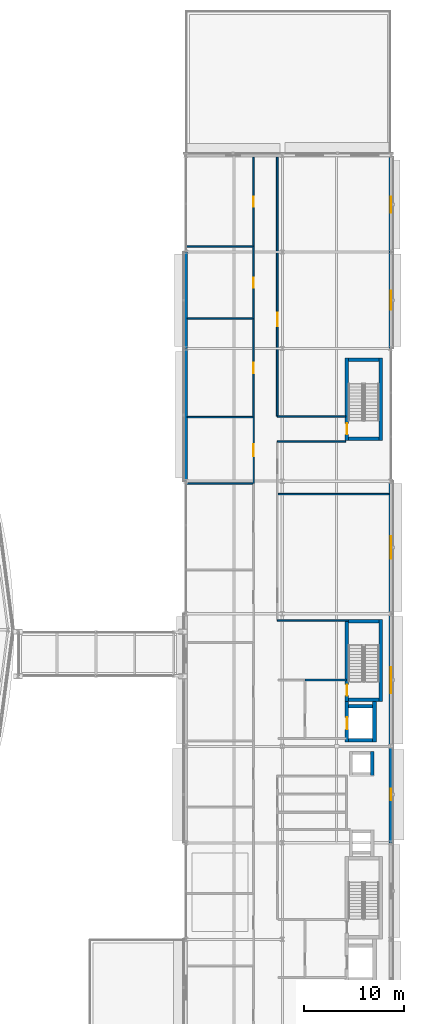
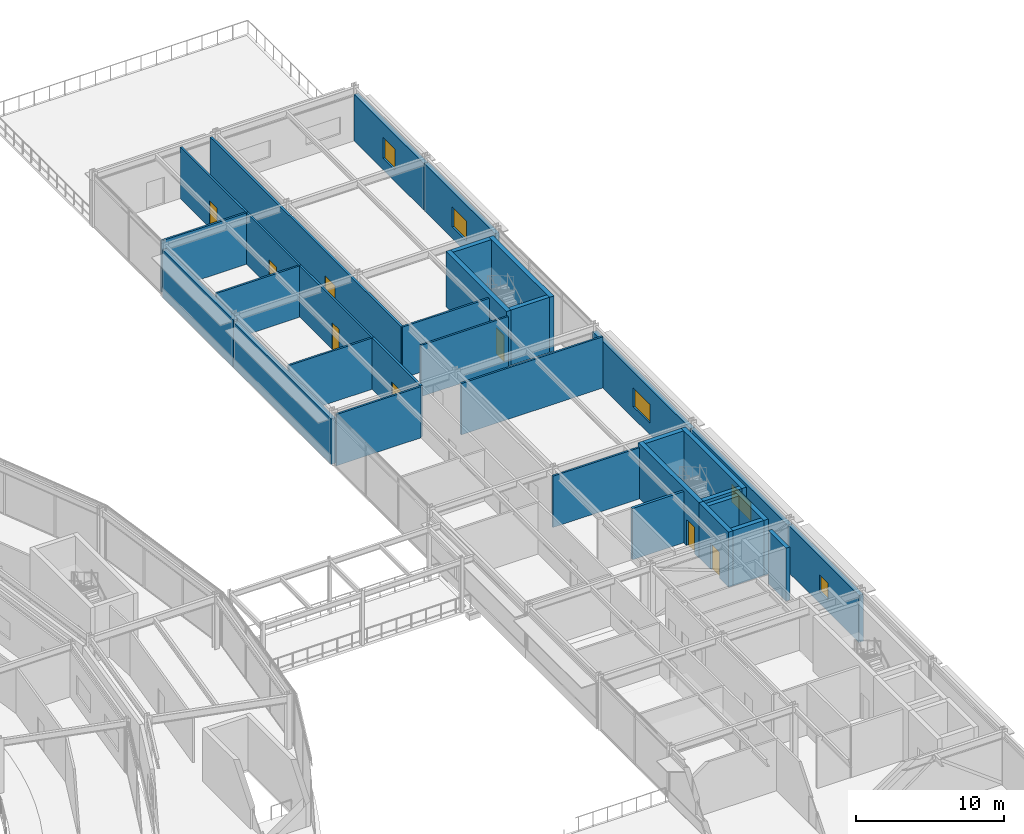
# One storey, part 126 of 157: 34 walls, 8 doors, 5 windows, 13 openings.
"""IFC4 building model written with IfcOpenShell, lengths in metres."""

from ifc_helpers import new_model, si_unit, direction, frame, frame_2d, origin, place, context, subcontext, project, spatial, rectangle, extrude, material, layer, layer_set, type_object, element, fill, save


model = new_model("IFC4")

# Units and contexts
model_context = context("Model", 3, precision=1e-05, world=origin(), true_north=direction((0.0, 1.0)))
body_context = subcontext(model_context, "Body", "Model", "MODEL_VIEW")
ifc_project = project(units=[si_unit("LENGTHUNIT", "METRE"), si_unit("AREAUNIT", "SQUARE_METRE"), si_unit("VOLUMEUNIT", "CUBIC_METRE"), si_unit("PLANEANGLEUNIT", "RADIAN"), si_unit("MASSUNIT", "GRAM", prefix="KILO")], contexts=[model_context])

# Site, building, storey
site_placement = place(None, origin())
site = spatial("IfcSite", under=ifc_project, at=site_placement, CompositionType="ELEMENT")
building_placement = place(site_placement, origin())
building = spatial("IfcBuilding", under=site, at=building_placement, Name="Almandine Court Research Institute", CompositionType="ELEMENT")
storey_placement = place(building_placement, frame((0.0, 0.0, 5.25)))
storey = spatial("IfcBuildingStorey", under=building, at=storey_placement, Name="L01", CompositionType="ELEMENT", Elevation=5.25)

# Walls
ifc_material_1 = material(Name="Andean Red-Buff Sandstone Plinth Wall", Category="masonry")
ifc_layer_1 = layer(ifc_material_1, 0.340087890625)
ifc_layer_set_1 = layer_set([ifc_layer_1], Name="Andean Red-Buff Sandstone Plinth Wall")
wall_type_1 = type_object("IfcWallType", Name="Wall-EXT-SAND-340", PredefinedType="SOLIDWALL", material=ifc_layer_set_1)
wall_1_placement = place(storey_placement, frame((153.60009765625, 70.803955078125, 0.0), z_axis=(0.0, 0.0, 1.0), x_axis=(0.0, 1.0, 0.0)))
element("IfcWall", 1, at=wall_1_placement, inside=storey, type_object=wall_type_1, Name="L01 Wet Lab West Facade Wall 7", PredefinedType="SOLIDWALL", context=body_context, shape_type="SweptSolid", body=[
    extrude(rectangle(XDim=13.192138671875, YDim=0.340087890625, at=frame_2d((6.59619140625, 0.0))), origin(), (0.0, 0.0, 1.0), 3.741943359375),
])
wall_2_placement = place(storey_placement, frame((153.60009765625, 84.00390625, 0.0), z_axis=(0.0, 0.0, 1.0), x_axis=(0.0, 1.0, 0.0)))
element("IfcWall", 2, at=wall_2_placement, inside=storey, type_object=wall_type_1, Name="L01 Wet Lab West Facade Wall 8", PredefinedType="SOLIDWALL", context=body_context, shape_type="SweptSolid", body=[
    extrude(rectangle(XDim=9.592041015625, YDim=0.340087890625, at=frame_2d((4.7958984375, 0.0))), origin(), (0.0, 0.0, 1.0), 3.89306640625),
])

# Wall, opening, window
wall_3_placement = place(storey_placement, frame((174.0, 103.02587890625, 0.0), z_axis=(0.0, 0.0, 1.0), x_axis=(0.0, -1.0, 0.0)))
wall_3 = element("IfcWall", 3, at=wall_3_placement, inside=storey, type_object=wall_type_1, Name="L01 Wet Lab East Facade Wall 9", PredefinedType="SOLIDWALL", context=body_context, shape_type="SweptSolid", body=[
    extrude(rectangle(XDim=9.421875, YDim=0.340087890625, at=frame_2d((4.7109375, 0.0))), origin(), (0.0, 0.0, 1.0), 3.8369140625),
])
opening_1_placement = place(wall_3_placement, frame((3.910888671875, 0.0, 0.949951171875)))
opening_1 = element("IfcOpeningElement", 4, at=opening_1_placement, cuts=wall_3, Name="Opening WN-62", PredefinedType="OPENING", context=body_context, shape_type="SweptSolid", body=[
    extrude(rectangle(XDim=1.60009765625, YDim=1.719970703125, at=frame_2d((0.800048828125, 0.85986328125))), frame((0.0, 0.179931640625, 0.0), z_axis=(0.0, -1.0, 0.0), x_axis=(1.0, 0.0, 0.0)), (0.0, 0.0, 1.0), 0.360107421875),
])
ifc_material_2 = material(Name="Thermally Broken Low-E Double-Glazed Window", Category="glass")
window_type_1 = type_object("IfcWindowType", Name="Win-WN-62-1600x1720", PartitioningType="SINGLE_PANEL", PredefinedType="WINDOW", material=ifc_material_2)
window_1_placement = place(opening_1_placement, origin())
window_1 = element("IfcWindow", 5, at=window_1_placement, inside=storey, type_object=window_type_1, Name="L01 Modular Recessed Low-E Window 90", OverallHeight=1.719970703125, OverallWidth=1.60009765625, PartitioningType="SINGLE_PANEL", PredefinedType="WINDOW", context=body_context, shape_type="SweptSolid", body=[
    extrude(rectangle(XDim=1.60009765625, YDim=1.719970703125, at=frame_2d((0.800048828125, 0.85986328125))), frame((0.0, 0.030029296875, 0.0), z_axis=(0.0, -1.0, 0.0), x_axis=(1.0, 0.0, 0.0)), (0.0, 0.0, 1.0), 0.06005859375),
])
fill(opening_1, window_1)

wall_4_placement = place(storey_placement, frame((174.0, 93.595947265625, 0.0), z_axis=(0.0, 0.0, 1.0), x_axis=(0.0, -1.0, 0.0)))
wall_4 = element("IfcWall", 6, at=wall_4_placement, inside=storey, type_object=wall_type_1, Name="L01 Wet Lab East Facade Wall 8", PredefinedType="SOLIDWALL", context=body_context, shape_type="SweptSolid", body=[
    extrude(rectangle(XDim=9.592041015625, YDim=0.340087890625, at=frame_2d((4.7958984375, 0.0))), origin(), (0.0, 0.0, 1.0), 3.884033203125),
])
opening_2_placement = place(wall_4_placement, frame((3.8310546875, 0.0, 0.949951171875)))
opening_2 = element("IfcOpeningElement", 7, at=opening_2_placement, cuts=wall_4, Name="Opening WN-63", PredefinedType="OPENING", context=body_context, shape_type="SweptSolid", body=[
    extrude(rectangle(XDim=1.929931640625, YDim=1.639892578125, at=frame_2d((0.96484375, 0.81982421875))), frame((0.0, 0.179931640625, 0.0), z_axis=(0.0, -1.0, 0.0), x_axis=(1.0, 0.0, 0.0)), (0.0, 0.0, 1.0), 0.360107421875),
])
window_type_2 = type_object("IfcWindowType", Name="Win-WN-63-1930x1640", PartitioningType="SINGLE_PANEL", PredefinedType="WINDOW", material=ifc_material_2)
window_2_placement = place(opening_2_placement, origin())
window_2 = element("IfcWindow", 8, at=window_2_placement, inside=storey, type_object=window_type_2, Name="L01 Modular Recessed Low-E Window 91", OverallHeight=1.639892578125, OverallWidth=1.929931640625, PartitioningType="SINGLE_PANEL", PredefinedType="WINDOW", context=body_context, shape_type="SweptSolid", body=[
    extrude(rectangle(XDim=1.929931640625, YDim=1.639892578125, at=frame_2d((0.96484375, 0.81982421875))), frame((0.0, 0.030029296875, 0.0), z_axis=(0.0, -1.0, 0.0), x_axis=(1.0, 0.0, 0.0)), (0.0, 0.0, 1.0), 0.06005859375),
])
fill(opening_2, window_2)

wall_5_placement = place(storey_placement, frame((174.0, 70.7958984375, 0.0), z_axis=(0.0, 0.0, 1.0), x_axis=(0.0, -1.0, 0.0)))
wall_5 = element("IfcWall", 9, at=wall_5_placement, inside=storey, type_object=wall_type_1, Name="L01 Wet Lab East Facade Wall 6", PredefinedType="SOLIDWALL", context=body_context, shape_type="SweptSolid", body=[
    extrude(rectangle(XDim=13.19189453125, YDim=0.340087890625, at=frame_2d((6.595947265625, 0.0))), origin(), (0.0, 0.0, 1.0), 3.81494140625),
])
opening_3_placement = place(wall_5_placement, frame((5.466064453125, 0.0, 0.949951171875)))
opening_3 = element("IfcOpeningElement", 10, at=opening_3_placement, cuts=wall_5, Name="Opening WN-64", PredefinedType="OPENING", context=body_context, shape_type="SweptSolid", body=[
    extrude(rectangle(XDim=2.260009765625, YDim=1.56005859375, at=frame_2d((1.1298828125, 0.780029296875))), frame((0.0, 0.179931640625, 0.0), z_axis=(0.0, -1.0, 0.0), x_axis=(1.0, 0.0, 0.0)), (0.0, 0.0, 1.0), 0.360107421875),
])
window_type_3 = type_object("IfcWindowType", Name="Win-WN-64-2260x1560", PartitioningType="SINGLE_PANEL", PredefinedType="WINDOW", material=ifc_material_2)
window_3_placement = place(opening_3_placement, origin())
window_3 = element("IfcWindow", 11, at=window_3_placement, inside=storey, type_object=window_type_3, Name="L01 Modular Recessed Low-E Window 92", OverallHeight=1.56005859375, OverallWidth=2.260009765625, PartitioningType="SINGLE_PANEL", PredefinedType="WINDOW", context=body_context, shape_type="SweptSolid", body=[
    extrude(rectangle(XDim=2.260009765625, YDim=1.56005859375, at=frame_2d((1.1298828125, 0.780029296875))), frame((0.0, 0.030029296875, 0.0), z_axis=(0.0, -1.0, 0.0), x_axis=(1.0, 0.0, 0.0)), (0.0, 0.0, 1.0), 0.06005859375),
])
fill(opening_3, window_3)

wall_6_placement = place(storey_placement, frame((174.0, 57.595947265625, 0.0), z_axis=(0.0, 0.0, 1.0), x_axis=(0.0, -1.0, 0.0)))
wall_6 = element("IfcWall", 12, at=wall_6_placement, inside=storey, type_object=wall_type_1, Name="L01 Wet Lab East Facade Wall 5", PredefinedType="SOLIDWALL", context=body_context, shape_type="SweptSolid", body=[
    extrude(rectangle(XDim=13.19189453125, YDim=0.340087890625, at=frame_2d((6.595947265625, 0.0))), origin(), (0.0, 0.0, 1.0), 3.81494140625),
])
opening_4_placement = place(wall_6_placement, frame((5.301025390625, 0.0, 0.949951171875)))
opening_4 = element("IfcOpeningElement", 13, at=opening_4_placement, cuts=wall_6, Name="Opening WN-65", PredefinedType="OPENING", context=body_context, shape_type="SweptSolid", body=[
    extrude(rectangle(XDim=2.590087890625, YDim=1.47998046875, at=frame_2d((1.294921875, 0.739990234375))), frame((0.0, 0.179931640625, 0.0), z_axis=(0.0, -1.0, 0.0), x_axis=(1.0, 0.0, 0.0)), (0.0, 0.0, 1.0), 0.360107421875),
])
window_type_4 = type_object("IfcWindowType", Name="Win-WN-65-2590x1480", PartitioningType="SINGLE_PANEL", PredefinedType="WINDOW", material=ifc_material_2)
window_4_placement = place(opening_4_placement, origin())
window_4 = element("IfcWindow", 14, at=window_4_placement, inside=storey, type_object=window_type_4, Name="L01 Modular Recessed Low-E Window 93", OverallHeight=1.47998046875, OverallWidth=2.590087890625, PartitioningType="SINGLE_PANEL", PredefinedType="WINDOW", context=body_context, shape_type="SweptSolid", body=[
    extrude(rectangle(XDim=2.590087890625, YDim=1.47998046875, at=frame_2d((1.294921875, 0.739990234375))), frame((0.0, 0.030029296875, 0.0), z_axis=(0.0, -1.0, 0.0), x_axis=(1.0, 0.0, 0.0)), (0.0, 0.0, 1.0), 0.06005859375),
])
fill(opening_4, window_4)

wall_7_placement = place(storey_placement, frame((174.0, 44.39599609375, 0.0), z_axis=(0.0, 0.0, 1.0), x_axis=(0.0, -1.0, 0.0)))
wall_7 = element("IfcWall", 15, at=wall_7_placement, inside=storey, type_object=wall_type_1, Name="L01 Wet Lab East Facade Wall 4", PredefinedType="SOLIDWALL", context=body_context, shape_type="SweptSolid", body=[
    extrude(rectangle(XDim=9.592041015625, YDim=0.340087890625, at=frame_2d((4.7958984375, 0.0))), origin(), (0.0, 0.0, 1.0), 3.884033203125),
])
opening_5_placement = place(wall_7_placement, frame((4.216064453125, 0.0, 0.949951171875)))
opening_5 = element("IfcOpeningElement", 16, at=opening_5_placement, cuts=wall_7, Name="Opening WN-66", PredefinedType="OPENING", context=body_context, shape_type="SweptSolid", body=[
    extrude(rectangle(XDim=1.159912109375, YDim=1.39990234375, at=frame_2d((0.580078125, 0.699951171875))), frame((0.0, 0.179931640625, 0.0), z_axis=(0.0, -1.0, 0.0), x_axis=(1.0, 0.0, 0.0)), (0.0, 0.0, 1.0), 0.360107421875),
])
window_type_5 = type_object("IfcWindowType", Name="Win-WN-66-1160x1400", PartitioningType="SINGLE_PANEL", PredefinedType="WINDOW", material=ifc_material_2)
window_5_placement = place(opening_5_placement, origin())
window_5 = element("IfcWindow", 17, at=window_5_placement, inside=storey, type_object=window_type_5, Name="L01 Modular Recessed Low-E Window 94", OverallHeight=1.39990234375, OverallWidth=1.159912109375, PartitioningType="SINGLE_PANEL", PredefinedType="WINDOW", context=body_context, shape_type="SweptSolid", body=[
    extrude(rectangle(XDim=1.159912109375, YDim=1.39990234375, at=frame_2d((0.580078125, 0.699951171875))), frame((0.0, 0.030029296875, 0.0), z_axis=(0.0, -1.0, 0.0), x_axis=(1.0, 0.0, 0.0)), (0.0, 0.0, 1.0), 0.06005859375),
])
fill(opening_5, window_5)

# Wall, opening, door
ifc_material_3 = material(Name="One-Hour Fire-Rated Laboratory Partition")
ifc_layer_2 = layer(ifc_material_3, 0.175048828125)
ifc_layer_set_2 = layer_set([ifc_layer_2], Name="One-Hour Fire-Rated Laboratory Partition")
wall_type_2 = type_object("IfcWallType", Name="Wall-FIRE-175", PredefinedType="PARTITIONING", material=ifc_layer_set_2)
wall_8_placement = place(storey_placement, frame((160.35009765625, 70.56005859375, 0.0), z_axis=(0.0, 0.0, 1.0), x_axis=(0.0, 1.0, 0.0)))
wall_8 = element("IfcWall", 18, at=wall_8_placement, inside=storey, type_object=wall_type_2, Name="L01 Interior Partition W-V4-L01-WW-8", PredefinedType="PARTITIONING", context=body_context, shape_type="SweptSolid", body=[
    extrude(rectangle(XDim=6.599853515625, YDim=0.175048828125, at=frame_2d((3.2998046875, 0.0))), origin(), (0.0, 0.0, 1.0), 4.22998046875),
])
opening_6_placement = place(wall_8_placement, frame((2.699951171875, 0.0, 0.0)))
opening_6 = element("IfcOpeningElement", 19, at=opening_6_placement, cuts=wall_8, Name="Opening FD-LAB", PredefinedType="OPENING", context=body_context, shape_type="SweptSolid", body=[
    extrude(rectangle(XDim=1.199951171875, YDim=2.199951171875, at=frame_2d((0.60009765625, 1.10009765625))), frame((0.0, 0.097412109375, 0.0), z_axis=(0.0, -1.0, 0.0), x_axis=(1.0, 0.0, 0.0)), (0.0, 0.0, 1.0), 0.195068359375),
])
ifc_material_4 = material(Name="Fire-Rated Laboratory Containment Door")
door_type_1 = type_object("IfcDoorType", Name="Door-FD-LAB-1200", OperationType="NOTDEFINED", PredefinedType="DOOR", material=ifc_material_4)
door_1_placement = place(opening_6_placement, origin())
door_1 = element("IfcDoor", 20, at=door_1_placement, inside=storey, type_object=door_type_1, Name="L01 Biosciences BSL-2 Laboratory Door", OperationType="SINGLE_SWING_RIGHT", OverallHeight=2.199951171875, OverallWidth=1.199951171875, PredefinedType="DOOR", context=body_context, shape_type="SweptSolid", body=[
    extrude(rectangle(XDim=1.199951171875, YDim=2.199951171875, at=frame_2d((0.60009765625, 1.10009765625))), frame((0.0, 0.02490234375, 0.0), z_axis=(0.0, -1.0, 0.0), x_axis=(1.0, 0.0, 0.0)), (0.0, 0.0, 1.0), 0.050048828125),
])
fill(opening_6, door_1)

wall_9_placement = place(storey_placement, frame((162.699951171875, 77.25, 0.0), z_axis=(0.0, 0.0, 1.0), x_axis=(0.0, 1.0, 0.0)))
wall_9 = element("IfcWall", 21, at=wall_9_placement, inside=storey, type_object=wall_type_2, Name="L01 Interior Partition W-V4-L01-EW-N2", PredefinedType="PARTITIONING", context=body_context, shape_type="SweptSolid", body=[
    extrude(rectangle(XDim=25.7900390625, YDim=0.175048828125, at=frame_2d((12.89501953125, 0.0))), origin(), (0.0, 0.0, 1.0), 4.22998046875),
])
opening_7_placement = place(wall_9_placement, frame((8.949951171875, 0.0, 0.0)))
opening_7 = element("IfcOpeningElement", 22, at=opening_7_placement, cuts=wall_9, Name="Opening FD-LB2", PredefinedType="OPENING", context=body_context, shape_type="SweptSolid", body=[
    extrude(rectangle(XDim=1.35009765625, YDim=2.199951171875, at=frame_2d((0.675048828125, 1.10009765625))), frame((0.0, 0.097412109375, 0.0), z_axis=(0.0, -1.0, 0.0), x_axis=(1.0, 0.0, 0.0)), (0.0, 0.0, 1.0), 0.195068359375),
])
ifc_material_5 = material(Name="Wide Fire-Rated Cleanroom and Lab Door")
door_type_2 = type_object("IfcDoorType", Name="Door-FD-LAB-1350", OperationType="NOTDEFINED", PredefinedType="DOOR", material=ifc_material_5)
door_2_placement = place(opening_7_placement, origin())
door_2 = element("IfcDoor", 23, at=door_2_placement, inside=storey, type_object=door_type_2, Name="L01 East BSL-2 Lab Door", OperationType="SINGLE_SWING_RIGHT", OverallHeight=2.199951171875, OverallWidth=1.35009765625, PredefinedType="DOOR", context=body_context, shape_type="SweptSolid", body=[
    extrude(rectangle(XDim=1.35009765625, YDim=2.199951171875, at=frame_2d((0.675048828125, 1.10009765625))), frame((0.0, 0.02490234375, 0.0), z_axis=(0.0, -1.0, 0.0), x_axis=(1.0, 0.0, 0.0)), (0.0, 0.0, 1.0), 0.050048828125),
])
fill(opening_7, door_2)

# Walls
ifc_material_6 = material(Name="Two-Hour Fire-Barrier Enclosure Wall")
ifc_layer_3 = layer(ifc_material_6, 0.199951171875)
ifc_layer_set_3 = layer_set([ifc_layer_3], Name="Two-Hour Fire-Barrier Enclosure Wall")
wall_type_3 = type_object("IfcWallType", Name="Wall-FIRE-200", PredefinedType="SOLIDWALL", material=ifc_layer_set_3)
wall_10_placement = place(storey_placement, frame((165.449951171875, 51.0, 0.0), z_axis=(0.0, 0.0, 1.0), x_axis=(1.0, 0.0, 0.0)))
element("IfcWall", 24, at=wall_10_placement, inside=storey, type_object=wall_type_3, Name="L01 Interior Partition W-FFL2-L01-N", PredefinedType="SOLIDWALL", context=body_context, shape_type="SweptSolid", body=[
    extrude(rectangle(XDim=4.150146484375, YDim=0.199951171875, at=frame_2d((2.0751953125, 0.0))), origin(), (0.0, 0.0, 1.0), 4.22998046875),
])
ifc_material_7 = material(Name="Acoustic Steel-Stud Gypsum Partition Wall", Category="steel")
ifc_layer_4 = layer(ifc_material_7, 0.14990234375)
ifc_layer_set_4 = layer_set([ifc_layer_4], Name="Acoustic Steel-Stud Gypsum Partition Wall")
wall_type_4 = type_object("IfcWallType", Name="Wall-PART-150", PredefinedType="PARTITIONING", material=ifc_layer_set_4)
wall_11_placement = place(storey_placement, frame((153.659912109375, 70.56005859375, 0.0), z_axis=(0.0, 0.0, 1.0), x_axis=(1.0, 0.0, 0.0)))
element("IfcWall", 25, at=wall_11_placement, inside=storey, type_object=wall_type_4, Name="L01 Interior Partition W-V4-L01-WDIV-7", PredefinedType="PARTITIONING", context=body_context, shape_type="SweptSolid", body=[
    extrude(rectangle(XDim=6.610107421875, YDim=0.14990234375, at=frame_2d((3.30517578125, 0.0))), origin(), (0.0, 0.0, 1.0), 4.22998046875),
])
wall_12_placement = place(storey_placement, frame((153.760009765625, 77.159912109375, 0.0), z_axis=(0.0, 0.0, 1.0), x_axis=(1.0, 0.0, 0.0)))
element("IfcWall", 26, at=wall_12_placement, inside=storey, type_object=wall_type_4, Name="L01 Interior Partition W-V4-L01-WDIV-8", PredefinedType="PARTITIONING", context=body_context, shape_type="SweptSolid", body=[
    extrude(rectangle(XDim=6.510009765625, YDim=0.14990234375, at=frame_2d((3.2548828125, 0.0))), origin(), (0.0, 0.0, 1.0), 4.22998046875),
])

# Wall, opening, door
wall_13_placement = place(storey_placement, frame((160.35009765625, 77.159912109375, 0.0), z_axis=(0.0, 0.0, 1.0), x_axis=(0.0, 1.0, 0.0)))
wall_13 = element("IfcWall", 27, at=wall_13_placement, inside=storey, type_object=wall_type_4, Name="L01 Interior Partition W-V4-L01-WW-9", PredefinedType="PARTITIONING", context=body_context, shape_type="SweptSolid", body=[
    extrude(rectangle(XDim=9.800048828125, YDim=0.14990234375, at=frame_2d((4.89990234375, 0.0))), origin(), (0.0, 0.0, 1.0), 4.22998046875),
])
opening_8_placement = place(wall_13_placement, frame((4.39990234375, 0.0, 0.0)))
opening_8 = element("IfcOpeningElement", 28, at=opening_8_placement, cuts=wall_13, Name="Opening D-02", PredefinedType="OPENING", context=body_context, shape_type="SweptSolid", body=[
    extrude(rectangle(XDim=1.0, YDim=2.199951171875, at=frame_2d((0.5, 1.10009765625))), frame((0.0, 0.0849609375, 0.0), z_axis=(0.0, -1.0, 0.0), x_axis=(1.0, 0.0, 0.0)), (0.0, 0.0, 1.0), 0.169921875),
])
ifc_material_8 = material(Name="Solid-Core Timber Researcher Office Door", Category="wood")
door_type_3 = type_object("IfcDoorType", Name="Door-INT-1000", OperationType="NOTDEFINED", PredefinedType="DOOR", material=ifc_material_8)
door_3_placement = place(opening_8_placement, origin())
door_3 = element("IfcDoor", 29, at=door_3_placement, inside=storey, type_object=door_type_3, Name="L01 Seminar Room Door", OperationType="SINGLE_SWING_LEFT", OverallHeight=2.199951171875, OverallWidth=1.0, PredefinedType="DOOR", context=body_context, shape_type="SweptSolid", body=[
    extrude(rectangle(XDim=1.0, YDim=2.199951171875, at=frame_2d((0.5, 1.10009765625))), frame((0.0, 0.02490234375, 0.0), z_axis=(0.0, -1.0, 0.0), x_axis=(1.0, 0.0, 0.0)), (0.0, 0.0, 1.0), 0.050048828125),
])
fill(opening_8, door_3)

# Wall
wall_14_placement = place(storey_placement, frame((153.760009765625, 86.9599609375, 0.0), z_axis=(0.0, 0.0, 1.0), x_axis=(1.0, 0.0, 0.0)))
element("IfcWall", 30, at=wall_14_placement, inside=storey, type_object=wall_type_4, Name="L01 Interior Partition W-V4-L01-WDIV-9", PredefinedType="PARTITIONING", context=body_context, shape_type="SweptSolid", body=[
    extrude(rectangle(XDim=6.510009765625, YDim=0.14990234375, at=frame_2d((3.2548828125, 0.0))), origin(), (0.0, 0.0, 1.0), 4.22998046875),
])

# Wall, opening, door
wall_15_placement = place(storey_placement, frame((160.35009765625, 86.9599609375, 0.0), z_axis=(0.0, 0.0, 1.0), x_axis=(0.0, 1.0, 0.0)))
wall_15 = element("IfcWall", 31, at=wall_15_placement, inside=storey, type_object=wall_type_4, Name="L01 Interior Partition W-V4-L01-WW-10", PredefinedType="PARTITIONING", context=body_context, shape_type="SweptSolid", body=[
    extrude(rectangle(XDim=7.199951171875, YDim=0.14990234375, at=frame_2d((3.60009765625, 0.0))), origin(), (0.0, 0.0, 1.0), 4.22998046875),
])
opening_9_placement = place(wall_15_placement, frame((3.10009765625, 0.0, 0.0)))
opening_9 = element("IfcOpeningElement", 32, at=opening_9_placement, cuts=wall_15, Name="Opening D-02", PredefinedType="OPENING", context=body_context, shape_type="SweptSolid", body=[
    extrude(rectangle(XDim=1.0, YDim=2.199951171875, at=frame_2d((0.5, 1.10009765625))), frame((0.0, 0.0849609375, 0.0), z_axis=(0.0, -1.0, 0.0), x_axis=(1.0, 0.0, 0.0)), (0.0, 0.0, 1.0), 0.169921875),
])
door_4_placement = place(opening_9_placement, origin())
door_4 = element("IfcDoor", 33, at=door_4_placement, inside=storey, type_object=door_type_3, Name="L01 Instrument Room Door", OperationType="SINGLE_SWING_RIGHT", OverallHeight=2.199951171875, OverallWidth=1.0, PredefinedType="DOOR", context=body_context, shape_type="SweptSolid", body=[
    extrude(rectangle(XDim=1.0, YDim=2.199951171875, at=frame_2d((0.5, 1.10009765625))), frame((0.0, 0.02490234375, 0.0), z_axis=(0.0, -1.0, 0.0), x_axis=(1.0, 0.0, 0.0)), (0.0, 0.0, 1.0), 0.050048828125),
])
fill(opening_9, door_4)

# Wall
wall_16_placement = place(storey_placement, frame((153.659912109375, 94.159912109375, 0.0), z_axis=(0.0, 0.0, 1.0), x_axis=(1.0, 0.0, 0.0)))
element("IfcWall", 34, at=wall_16_placement, inside=storey, type_object=wall_type_4, Name="L01 Interior Partition W-V4-L01-WDIV-10", PredefinedType="PARTITIONING", context=body_context, shape_type="SweptSolid", body=[
    extrude(rectangle(XDim=6.610107421875, YDim=0.14990234375, at=frame_2d((3.30517578125, 0.0))), origin(), (0.0, 0.0, 1.0), 4.22998046875),
])

# Wall, opening, door
wall_17_placement = place(storey_placement, frame((160.35009765625, 94.159912109375, 0.0), z_axis=(0.0, 0.0, 1.0), x_axis=(0.0, 1.0, 0.0)))
wall_17 = element("IfcWall", 35, at=wall_17_placement, inside=storey, type_object=wall_type_4, Name="L01 Interior Partition W-V4-L01-WW-11", PredefinedType="PARTITIONING", context=body_context, shape_type="SweptSolid", body=[
    extrude(rectangle(XDim=8.880126953125, YDim=0.14990234375, at=frame_2d((4.43994140625, 0.0))), origin(), (0.0, 0.0, 1.0), 4.22998046875),
])
opening_10_placement = place(wall_17_placement, frame((3.93994140625, 0.0, 0.0)))
opening_10 = element("IfcOpeningElement", 36, at=opening_10_placement, cuts=wall_17, Name="Opening D-02", PredefinedType="OPENING", context=body_context, shape_type="SweptSolid", body=[
    extrude(rectangle(XDim=1.0, YDim=2.199951171875, at=frame_2d((0.5, 1.10009765625))), frame((0.0, 0.0849609375, 0.0), z_axis=(0.0, -1.0, 0.0), x_axis=(1.0, 0.0, 0.0)), (0.0, 0.0, 1.0), 0.169921875),
])
door_5_placement = place(opening_10_placement, origin())
door_5 = element("IfcDoor", 37, at=door_5_placement, inside=storey, type_object=door_type_3, Name="L01 Write-up Office Door", OperationType="SINGLE_SWING_LEFT", OverallHeight=2.199951171875, OverallWidth=1.0, PredefinedType="DOOR", context=body_context, shape_type="SweptSolid", body=[
    extrude(rectangle(XDim=1.0, YDim=2.199951171875, at=frame_2d((0.5, 1.10009765625))), frame((0.0, 0.02490234375, 0.0), z_axis=(0.0, -1.0, 0.0), x_axis=(1.0, 0.0, 0.0)), (0.0, 0.0, 1.0), 0.050048828125),
])
fill(opening_10, door_5)

# Walls
wall_18_placement = place(storey_placement, frame((162.699951171875, 56.949951171875, 0.0), z_axis=(0.0, 0.0, 1.0), x_axis=(1.0, 0.0, 0.0)))
element("IfcWall", 38, at=wall_18_placement, inside=storey, type_object=wall_type_4, Name="L01 Interior Partition W-V4-L01-ES-N1", PredefinedType="PARTITIONING", context=body_context, shape_type="SweptSolid", body=[
    extrude(rectangle(XDim=7.10009765625, YDim=0.14990234375, at=frame_2d((3.550048828125, 0.0))), origin(), (0.0, 0.0, 1.0), 4.22998046875),
])
for number, where, z_axis, x_axis, name in (
    (39, (162.699951171875, 74.75, 0.0), (0.0, 0.0, 1.0), (1.0, 0.0, 0.0), "L01 Interior Partition W-V4-L01-ST13S"),
    (40, (162.699951171875, 77.25, 0.0), (0.0, 0.0, 1.0), (1.0, 0.0, 0.0), "L01 Interior Partition W-V4-L01-ST13N"),
):
    element("IfcWall", number, at=place(storey_placement, frame(where, z_axis=z_axis, x_axis=x_axis)), inside=storey, type_object=wall_type_4, Name=name, PredefinedType="PARTITIONING", context=body_context, shape_type="SweptSolid", body=[
        extrude(rectangle(XDim=6.800048828125, YDim=0.14990234375, at=frame_2d((3.39990234375, 0.0))), origin(), (0.0, 0.0, 1.0), 4.22998046875),
    ])
wall_19_placement = place(storey_placement, frame((162.7900390625, 69.5, 0.0), z_axis=(0.0, 0.0, 1.0), x_axis=(1.0, 0.0, 0.0)))
element("IfcWall", 41, at=wall_19_placement, inside=storey, type_object=wall_type_4, Name="L01 Interior Partition W-V4-L01-EDIV-N", PredefinedType="PARTITIONING", context=body_context, shape_type="SweptSolid", body=[
    extrude(rectangle(XDim=11.050048828125, YDim=0.14990234375, at=frame_2d((5.52490234375, 0.0))), origin(), (0.0, 0.0, 1.0), 4.22998046875),
])
ifc_material_9 = material(Name="Concrete C40/50", Category="concrete")
ifc_layer_5 = layer(ifc_material_9, 0.300048828125)
ifc_layer_set_5 = layer_set([ifc_layer_5], Name="Concrete C40/50")
wall_type_5 = type_object("IfcWallType", Name="Wall-SW-CORE-300", PredefinedType="SHEAR", material=ifc_layer_set_5)
wall_20_placement = place(storey_placement, frame((172.14990234375, 43.89990234375, 0.0), z_axis=(0.0, 0.0, 1.0), x_axis=(0.0, -1.0, 0.0)))
element("IfcWall", 42, at=wall_20_placement, inside=storey, type_object=wall_type_5, Name="L01 MEP Riser RS-V4B E Shear Wall", PredefinedType="SHEAR", context=body_context, shape_type="SweptSolid", body=[
    extrude(rectangle(XDim=2.39990234375, YDim=0.300048828125, at=frame_2d((1.199951171875, 0.0))), origin(), (0.0, 0.0, 1.0), 4.3701171875),
])

# Wall, opening, door
ifc_layer_6 = layer(ifc_material_9, 0.35009765625)
ifc_layer_set_6 = layer_set([ifc_layer_6], Name="Concrete C40/50")
wall_type_6 = type_object("IfcWallType", Name="Wall-SW-CORE-350", PredefinedType="SHEAR", material=ifc_layer_set_6)
wall_21_placement = place(storey_placement, frame((169.625, 48.85009765625, 0.0), z_axis=(0.0, 0.0, 1.0), x_axis=(0.0, 1.0, 0.0)))
wall_21 = element("IfcWall", 43, at=wall_21_placement, inside=storey, type_object=wall_type_6, Name="L01 ST-08 W Shear Wall", PredefinedType="SHEAR", context=body_context, shape_type="SweptSolid", body=[
    extrude(rectangle(XDim=8.199951171875, YDim=0.35009765625, at=frame_2d((4.10009765625, 0.0))), origin(), (0.0, 0.0, 1.0), 4.550048828125),
])
opening_11_placement = place(wall_21_placement, frame((0.60009765625, 0.0, 0.0)))
opening_11 = element("IfcOpeningElement", 44, at=opening_11_placement, cuts=wall_21, Name="Opening FD-STAIR", PredefinedType="OPENING", context=body_context, shape_type="SweptSolid", body=[
    extrude(rectangle(XDim=1.10009765625, YDim=2.14990234375, at=frame_2d((0.550048828125, 1.074951171875))), frame((0.0, 0.18505859375, 0.0), z_axis=(0.0, -1.0, 0.0), x_axis=(1.0, 0.0, 0.0)), (0.0, 0.0, 1.0), 0.3701171875),
])
ifc_material_10 = material(Name="Self-Closing Steel Exit Stair Fire Door", Category="steel")
door_type_4 = type_object("IfcDoorType", Name="Door-FD-STAIR-1100", OperationType="NOTDEFINED", PredefinedType="DOOR", material=ifc_material_10)
door_6_placement = place(opening_11_placement, origin())
door_6 = element("IfcDoor", 45, at=door_6_placement, inside=storey, type_object=door_type_4, Name="L01 Exit Stair ST-08 Fire Door", OperationType="SINGLE_SWING_RIGHT", OverallHeight=2.14990234375, OverallWidth=1.10009765625, PredefinedType="DOOR", context=body_context, shape_type="SweptSolid", body=[
    extrude(rectangle(XDim=1.10009765625, YDim=2.14990234375, at=frame_2d((0.550048828125, 1.074951171875))), frame((0.0, 0.02490234375, 0.0), z_axis=(0.0, -1.0, 0.0), x_axis=(1.0, 0.0, 0.0)), (0.0, 0.0, 1.0), 0.050048828125),
])
fill(opening_11, door_6)

# Walls
wall_22_placement = place(storey_placement, frame((169.800048828125, 56.875, 0.0), z_axis=(0.0, 0.0, 1.0), x_axis=(1.0, 0.0, 0.0)))
element("IfcWall", 46, at=wall_22_placement, inside=storey, type_object=wall_type_6, Name="L01 ST-08 N Shear Wall", PredefinedType="SHEAR", context=body_context, shape_type="SweptSolid", body=[
    extrude(rectangle(XDim=3.0, YDim=0.35009765625, at=frame_2d((1.5, 0.0))), origin(), (0.0, 0.0, 1.0), 4.550048828125),
])
wall_23_placement = place(storey_placement, frame((172.97509765625, 57.050048828125, 0.0), z_axis=(0.0, 0.0, 1.0), x_axis=(0.0, -1.0, 0.0)))
element("IfcWall", 47, at=wall_23_placement, inside=storey, type_object=wall_type_6, Name="L01 ST-08 E Shear Wall", PredefinedType="SHEAR", context=body_context, shape_type="SweptSolid", body=[
    extrude(rectangle(XDim=8.199951171875, YDim=0.35009765625, at=frame_2d((4.10009765625, 0.0))), origin(), (0.0, 0.0, 1.0), 4.550048828125),
])
wall_24_placement = place(storey_placement, frame((172.800048828125, 49.02490234375, 0.0), z_axis=(0.0, 0.0, 1.0), x_axis=(-1.0, 0.0, 0.0)))
element("IfcWall", 48, at=wall_24_placement, inside=storey, type_object=wall_type_6, Name="L01 ST-08 S Shear Wall", PredefinedType="SHEAR", context=body_context, shape_type="SweptSolid", body=[
    extrude(rectangle(XDim=3.0, YDim=0.35009765625, at=frame_2d((1.5, 0.0))), origin(), (0.0, 0.0, 1.0), 4.550048828125),
])

# Wall, opening, door
wall_25_placement = place(storey_placement, frame((169.625, 74.85009765625, 0.0), z_axis=(0.0, 0.0, 1.0), x_axis=(0.0, 1.0, 0.0)))
wall_25 = element("IfcWall", 49, at=wall_25_placement, inside=storey, type_object=wall_type_6, Name="L01 ST-13 W Shear Wall", PredefinedType="SHEAR", context=body_context, shape_type="SweptSolid", body=[
    extrude(rectangle(XDim=8.199951171875, YDim=0.35009765625, at=frame_2d((4.10009765625, 0.0))), origin(), (0.0, 0.0, 1.0), 4.550048828125),
])
opening_12_placement = place(wall_25_placement, frame((0.60009765625, 0.0, 0.0)))
opening_12 = element("IfcOpeningElement", 50, at=opening_12_placement, cuts=wall_25, Name="Opening FD-STAIR", PredefinedType="OPENING", context=body_context, shape_type="SweptSolid", body=[
    extrude(rectangle(XDim=1.10009765625, YDim=2.14990234375, at=frame_2d((0.550048828125, 1.074951171875))), frame((0.0, 0.18505859375, 0.0), z_axis=(0.0, -1.0, 0.0), x_axis=(1.0, 0.0, 0.0)), (0.0, 0.0, 1.0), 0.3701171875),
])
door_7_placement = place(opening_12_placement, origin())
door_7 = element("IfcDoor", 51, at=door_7_placement, inside=storey, type_object=door_type_4, Name="L01 Exit Stair ST-13 Fire Door", OperationType="SINGLE_SWING_LEFT", OverallHeight=2.14990234375, OverallWidth=1.10009765625, PredefinedType="DOOR", context=body_context, shape_type="SweptSolid", body=[
    extrude(rectangle(XDim=1.10009765625, YDim=2.14990234375, at=frame_2d((0.550048828125, 1.074951171875))), frame((0.0, 0.02490234375, 0.0), z_axis=(0.0, -1.0, 0.0), x_axis=(1.0, 0.0, 0.0)), (0.0, 0.0, 1.0), 0.050048828125),
])
fill(opening_12, door_7)

# Walls
wall_26_placement = place(storey_placement, frame((169.800048828125, 82.875, 0.0), z_axis=(0.0, 0.0, 1.0), x_axis=(1.0, 0.0, 0.0)))
element("IfcWall", 52, at=wall_26_placement, inside=storey, type_object=wall_type_6, Name="L01 ST-13 N Shear Wall", PredefinedType="SHEAR", context=body_context, shape_type="SweptSolid", body=[
    extrude(rectangle(XDim=3.0, YDim=0.35009765625, at=frame_2d((1.5, 0.0))), origin(), (0.0, 0.0, 1.0), 4.550048828125),
])
wall_27_placement = place(storey_placement, frame((172.97509765625, 83.050048828125, 0.0), z_axis=(0.0, 0.0, 1.0), x_axis=(0.0, -1.0, 0.0)))
element("IfcWall", 53, at=wall_27_placement, inside=storey, type_object=wall_type_6, Name="L01 ST-13 E Shear Wall", PredefinedType="SHEAR", context=body_context, shape_type="SweptSolid", body=[
    extrude(rectangle(XDim=8.199951171875, YDim=0.35009765625, at=frame_2d((4.10009765625, 0.0))), origin(), (0.0, 0.0, 1.0), 4.550048828125),
])
wall_28_placement = place(storey_placement, frame((172.800048828125, 75.02490234375, 0.0), z_axis=(0.0, 0.0, 1.0), x_axis=(-1.0, 0.0, 0.0)))
element("IfcWall", 54, at=wall_28_placement, inside=storey, type_object=wall_type_6, Name="L01 ST-13 S Shear Wall", PredefinedType="SHEAR", context=body_context, shape_type="SweptSolid", body=[
    extrude(rectangle(XDim=3.0, YDim=0.35009765625, at=frame_2d((1.5, 0.0))), origin(), (0.0, 0.0, 1.0), 4.550048828125),
])

# Wall, opening, door
wall_29_placement = place(storey_placement, frame((169.625, 44.85009765625, 0.0), z_axis=(0.0, 0.0, 1.0), x_axis=(0.0, 1.0, 0.0)))
wall_29 = element("IfcWall", 55, at=wall_29_placement, inside=storey, type_object=wall_type_6, Name="L01 FL-02 Hoistway W Shear Wall", PredefinedType="SHEAR", context=body_context, shape_type="SweptSolid", body=[
    extrude(rectangle(XDim=4.0, YDim=0.35009765625, at=frame_2d((2.0, 0.0))), origin(), (0.0, 0.0, 1.0), 4.550048828125),
])
opening_13_placement = place(wall_29_placement, frame((1.25, 0.0, 0.0)))
opening_13 = element("IfcOpeningElement", 56, at=opening_13_placement, cuts=wall_29, Name="Opening LD-02", PredefinedType="OPENING", context=body_context, shape_type="SweptSolid", body=[
    extrude(rectangle(XDim=1.199951171875, YDim=2.14990234375, at=frame_2d((0.60009765625, 1.074951171875))), frame((0.0, 0.18505859375, 0.0), z_axis=(0.0, -1.0, 0.0), x_axis=(1.0, 0.0, 0.0)), (0.0, 0.0, 1.0), 0.3701171875),
])
ifc_material_11 = material(Name="Firefighting Lift Landing Sliding Door")
door_type_5 = type_object("IfcDoorType", Name="Door-LD-FSAE-1200", OperationType="SLIDING_TO_LEFT", PredefinedType="USERDEFINED", material=ifc_material_11)
door_8_placement = place(opening_13_placement, origin())
door_8 = element("IfcDoor", 57, at=door_8_placement, inside=storey, type_object=door_type_5, Name="L01 Firefighting Lift FL-02 Sliding Landing Door", ObjectType="LANDING DOOR", OperationType="SLIDING_TO_LEFT", OverallHeight=2.14990234375, OverallWidth=1.199951171875, PredefinedType="USERDEFINED", context=body_context, shape_type="SweptSolid", body=[
    extrude(rectangle(XDim=1.199951171875, YDim=2.14990234375, at=frame_2d((0.60009765625, 1.074951171875))), frame((0.0, 0.02490234375, 0.0), z_axis=(0.0, -1.0, 0.0), x_axis=(1.0, 0.0, 0.0)), (0.0, 0.0, 1.0), 0.050048828125),
])
fill(opening_13, door_8)

# Walls
wall_30_placement = place(storey_placement, frame((169.800048828125, 48.375, 0.0), z_axis=(0.0, 0.0, 1.0), x_axis=(1.0, 0.0, 0.0)))
element("IfcWall", 58, at=wall_30_placement, inside=storey, type_object=wall_type_6, Name="L01 FL-02 Hoistway N Shear Wall", PredefinedType="SHEAR", context=body_context, shape_type="SweptSolid", body=[
    extrude(rectangle(XDim=2.39990234375, YDim=0.35009765625, at=frame_2d((1.199951171875, 0.0))), origin(), (0.0, 0.0, 1.0), 4.550048828125),
])
wall_31_placement = place(storey_placement, frame((172.375, 48.85009765625, 0.0), z_axis=(0.0, 0.0, 1.0), x_axis=(0.0, -1.0, 0.0)))
element("IfcWall", 59, at=wall_31_placement, inside=storey, type_object=wall_type_6, Name="L01 FL-02 Hoistway E Shear Wall", PredefinedType="SHEAR", context=body_context, shape_type="SweptSolid", body=[
    extrude(rectangle(XDim=4.0, YDim=0.35009765625, at=frame_2d((2.0, 0.0))), origin(), (0.0, 0.0, 1.0), 4.550048828125),
])
wall_32_placement = place(storey_placement, frame((172.199951171875, 45.02490234375, 0.0), z_axis=(0.0, 0.0, 1.0), x_axis=(-1.0, 0.0, 0.0)))
element("IfcWall", 60, at=wall_32_placement, inside=storey, type_object=wall_type_6, Name="L01 FL-02 Hoistway S Shear Wall", PredefinedType="SHEAR", context=body_context, shape_type="SweptSolid", body=[
    extrude(rectangle(XDim=2.39990234375, YDim=0.35009765625, at=frame_2d((1.199951171875, 0.0))), origin(), (0.0, 0.0, 1.0), 4.550048828125),
])

save(model, "model.ifc")
